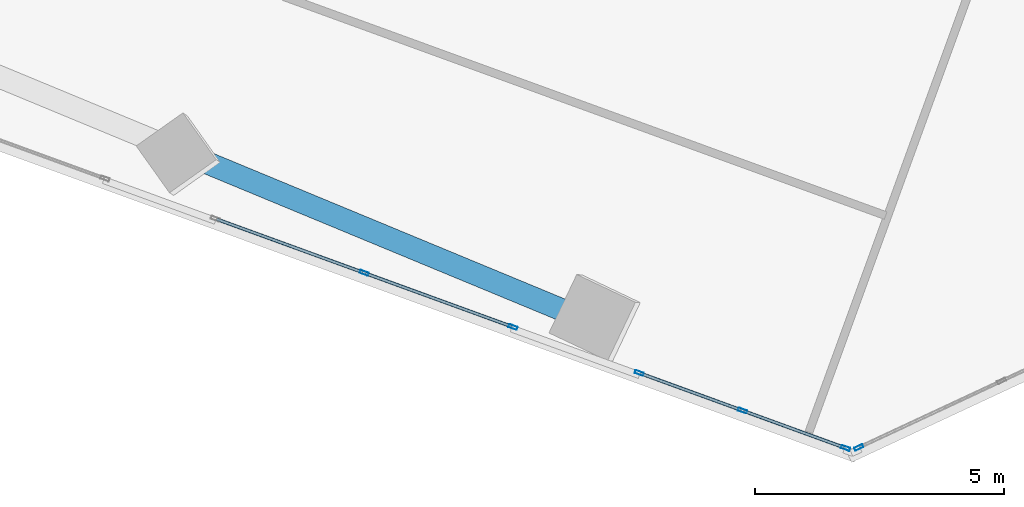
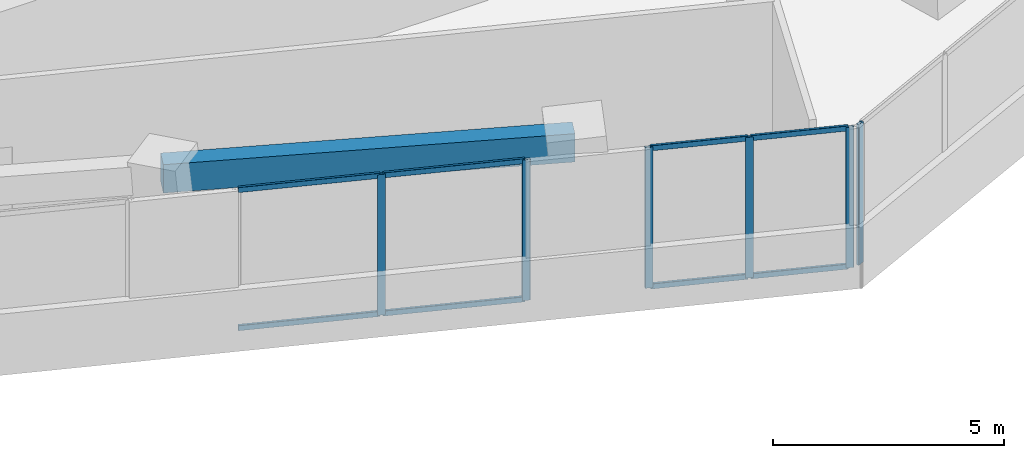
# One storey, part 4 of 21: 14 members, 1 beam, 3 elements without a shape of their own.
"""IFC4 building model written with IfcOpenShell, lengths in metres."""

from ifc_helpers import new_model, si_unit, direction, frame, origin, origin_2d, place, context, subcontext, project, spatial, rectangle, hollow_rectangle, extrude, source, transform, mapped, material, material_profile, profile_set, type_object, element, aggregate, save


model = new_model("IFC4")

# Units and contexts
model_context = context("Model", 3, precision=1e-05, world=origin(), true_north=direction((0.0, 1.0)))
body_context = subcontext(model_context, "Body", "Model", "MODEL_VIEW")
ifc_project = project(units=[si_unit("LENGTHUNIT", "METRE"), si_unit("AREAUNIT", "SQUARE_METRE"), si_unit("VOLUMEUNIT", "CUBIC_METRE"), si_unit("PLANEANGLEUNIT", "RADIAN"), si_unit("MASSUNIT", "GRAM", prefix="KILO")], contexts=[model_context])

# Site, building, storey
site_placement = place(None, origin())
site = spatial("IfcSite", under=ifc_project, at=site_placement, CompositionType="ELEMENT")
building_placement = place(site_placement, origin())
building = spatial("IfcBuilding", under=site, at=building_placement, Name="Torre Montelarca", CompositionType="ELEMENT")
storey_placement = place(building_placement, frame((0.0, 0.0, 137.199951171875)))
storey = spatial("IfcBuildingStorey", under=building, at=storey_placement, Name="L30", CompositionType="ELEMENT", Elevation=137.199951171875)

# Beam
ifc_material_1 = material(Name="Concrete C55/67", Category="concrete")
ifc_material_profile_1 = material_profile(ifc_material_1, rectangle(XDim=0.449951171875, YDim=0.75, at=origin_2d()), Name="RCB450X750", Category="concrete")
ifc_profile_set_1 = profile_set([ifc_material_profile_1], Name="Concrete C55/67")
beam_type = type_object("IfcBeamType", Name="BM-SP-RC750-EXT", PredefinedType="SPANDREL", material=ifc_profile_set_1)
shared_shape_1 = source(origin(), body_context, "Body", "SweptSolid", [
    extrude(rectangle(XDim=0.449951171875, YDim=0.75, at=origin_2d()), origin(), (0.0, 0.0, 1.0), 9.0),
])
beam_placement = place(storey_placement, frame((11.684326171875, 17.44873046875, 3.5849609375), z_axis=(0.923872679915, -0.382699975578, 0.0), x_axis=(0.382699975578, 0.923872679915, 0.0)))
element("IfcBeam", 1, at=beam_placement, inside=storey, type_object=beam_type, Name="L30 Grid Girder X 18.0-27.0 at Y=14.8", PredefinedType="SPANDREL", context=body_context, shape_type="MappedRepresentation", body=[
    mapped(shared_shape_1, transform((0.0, 0.0, 0.0), scale=1.0)),
])

# Curtain wall, members
ifc_material_2 = material(Name="Insulated low-E laminated glass", Category="glass")
curtain_wall_type = type_object("IfcCurtainWallType", Name="CW-SYS-Z2", PredefinedType="USERDEFINED", material=ifc_material_2)
curtain_wall_1_placement = place(storey_placement, origin())
curtain_wall_1 = element("IfcCurtainWall", 2, at=curtain_wall_1_placement, inside=storey, type_object=curtain_wall_type, Name="L30 Curtain Wall Run CW-T3-L30-E01-B2", ObjectType="UNITISED GLAZING", PredefinedType="USERDEFINED")
ifc_material_3 = material(Name="Anodised aluminium AA 6063-T6", Category="aluminium")
ifc_material_profile_2 = material_profile(ifc_material_3, hollow_rectangle(XDim=0.06494140625, YDim=0.179931640625, WallThickness=0.00390625, InnerFilletRadius=0.00390625, OuterFilletRadius=0.008056640625, at=origin_2d()), Name="ALU65X180X4", Category="aluminium")
ifc_profile_set_2 = profile_set([ifc_material_profile_2], Name="Anodised aluminium AA 6063-T6")
member_type_1 = type_object("IfcMemberType", Name="CWM-ALU180", PredefinedType="MULLION", material=ifc_profile_set_2)
shared_shape_2 = source(origin(), body_context, "Body", "SweptSolid", [
    extrude(hollow_rectangle(XDim=0.06494140625, YDim=0.179931640625, WallThickness=0.00390625, InnerFilletRadius=0.00390625, OuterFilletRadius=0.008056640625, at=origin_2d()), origin(), (0.0, 0.0, 1.0), 3.719970703125),
])
member_1_placement = place(storey_placement, frame((15.693359375, 14.8837890625, 0.0), z_axis=(0.0, 0.0, 1.0), x_axis=(0.342025079055, 0.939690824313, 0.0)))
member_1 = element("IfcMember", 3, at=member_1_placement, type_object=member_type_1, Name="CW mullion 2", PredefinedType="MULLION", context=body_context, shape_type="MappedRepresentation", body=[
    mapped(shared_shape_2, transform((0.0, 0.0, 0.0), scale=1.0)),
])
member_2_placement = place(storey_placement, frame((18.685791015625, 13.794677734375, 0.0), z_axis=(0.0, 0.0, 1.0), x_axis=(0.342025079055, 0.939690824313, 0.0)))
member_2 = element("IfcMember", 4, at=member_2_placement, type_object=member_type_1, Name="CW mullion 3", PredefinedType="MULLION", context=body_context, shape_type="MappedRepresentation", body=[
    mapped(shared_shape_2, transform((0.0, 0.0, 0.0), scale=1.0)),
])

curtain_wall_2_placement = place(storey_placement, origin())
curtain_wall_2 = element("IfcCurtainWall", 5, at=curtain_wall_2_placement, inside=storey, type_object=curtain_wall_type, Name="L30 Curtain Wall Run CW-T3-L30-E01-B3", ObjectType="UNITISED GLAZING", PredefinedType="USERDEFINED")
member_3_placement = place(storey_placement, frame((21.2265625, 12.869873046875, 0.0), z_axis=(0.0, 0.0, 1.0), x_axis=(0.342020799306, 0.939692382028, 0.0)))
member_3 = element("IfcMember", 6, at=member_3_placement, type_object=member_type_1, Name="CW mullion 1", PredefinedType="MULLION", context=body_context, shape_type="MappedRepresentation", body=[
    mapped(shared_shape_2, transform((0.0, 0.0, 0.0), scale=1.0)),
])
member_4_placement = place(storey_placement, frame((23.30126953125, 12.11474609375, 0.0), z_axis=(0.0, 0.0, 1.0), x_axis=(0.342020799306, 0.939692382028, 0.0)))
member_4 = element("IfcMember", 7, at=member_4_placement, type_object=member_type_1, Name="CW mullion 2", PredefinedType="MULLION", context=body_context, shape_type="MappedRepresentation", body=[
    mapped(shared_shape_2, transform((0.0, 0.0, 0.0), scale=1.0)),
])
member_5_placement = place(storey_placement, frame((25.3759765625, 11.359619140625, 0.0), z_axis=(0.0, 0.0, 1.0), x_axis=(0.342020799306, 0.939692382028, 0.0)))
member_5 = element("IfcMember", 8, at=member_5_placement, type_object=member_type_1, Name="CW mullion 3", PredefinedType="MULLION", context=body_context, shape_type="MappedRepresentation", body=[
    mapped(shared_shape_2, transform((0.0, 0.0, 0.0), scale=1.0)),
])

# Curtain wall, member
curtain_wall_3_placement = place(storey_placement, origin())
curtain_wall_3 = element("IfcCurtainWall", 9, at=curtain_wall_3_placement, inside=storey, type_object=curtain_wall_type, Name="L30 Curtain Wall Run CW-T3-L30-E02-B1", ObjectType="UNITISED GLAZING", PredefinedType="USERDEFINED")
member_6_placement = place(storey_placement, frame((25.642822265625, 11.371337890625, 0.0), z_axis=(0.0, 0.0, 1.0), x_axis=(-0.42258947224, 0.906321211244, 0.0)))
member_6 = element("IfcMember", 10, at=member_6_placement, type_object=member_type_1, Name="CW mullion 1", PredefinedType="MULLION", context=body_context, shape_type="MappedRepresentation", body=[
    mapped(shared_shape_2, transform((0.0, 0.0, 0.0), scale=1.0)),
])
aggregate(curtain_wall_3, [member_6])

# Member
ifc_material_profile_3 = material_profile(ifc_material_3, hollow_rectangle(XDim=0.06494140625, YDim=0.139892578125, WallThickness=0.00390625, InnerFilletRadius=0.00390625, OuterFilletRadius=0.008056640625, at=origin_2d()), Name="ALU65X140X4", Category="aluminium")
ifc_profile_set_3 = profile_set([ifc_material_profile_3], Name="Anodised aluminium AA 6063-T6")
member_type_2 = type_object("IfcMemberType", Name="CWT-ALU140", PredefinedType="USERDEFINED", material=ifc_profile_set_3)
shared_shape_3 = source(origin(), body_context, "Body", "SweptSolid", [
    extrude(hollow_rectangle(XDim=0.06494140625, YDim=0.139892578125, WallThickness=0.00390625, InnerFilletRadius=0.00390625, OuterFilletRadius=0.008056640625, at=origin_2d()), origin(), (0.0, 0.0, 1.0), 3.11962890625),
])
member_7_placement = place(storey_placement, frame((12.7314453125, 15.9619140625, 0.032470703125), z_axis=(0.93969741494, -0.342006971208, 0.0), x_axis=(0.342006971208, 0.93969741494, 0.0)))
member_7 = element("IfcMember", 11, at=member_7_placement, type_object=member_type_2, Name="CW transom 1.1", ObjectType="TRANSOM", PredefinedType="USERDEFINED", context=body_context, shape_type="MappedRepresentation", body=[
    mapped(shared_shape_3, transform((0.0, 0.0, 0.0), scale=1.0)),
])

member_8_placement = place(storey_placement, frame((12.7314453125, 15.9619140625, 3.6875), z_axis=(0.93969741494, -0.342006971208, 0.0), x_axis=(0.342006971208, 0.93969741494, 0.0)))
member_8 = element("IfcMember", 12, at=member_8_placement, type_object=member_type_2, Name="CW transom 1.2", ObjectType="TRANSOM", PredefinedType="USERDEFINED", context=body_context, shape_type="MappedRepresentation", body=[
    mapped(shared_shape_3, transform((0.0, 0.0, 0.0), scale=1.0)),
])

member_9_placement = place(storey_placement, frame((15.723876953125, 14.872802734375, 0.032470703125), z_axis=(0.939672260842, -0.342076076633, 0.0), x_axis=(0.342076076633, 0.939672260842, 0.0)))
member_9 = element("IfcMember", 13, at=member_9_placement, type_object=member_type_2, Name="CW transom 2.1", ObjectType="TRANSOM", PredefinedType="USERDEFINED", context=body_context, shape_type="MappedRepresentation", body=[
    mapped(shared_shape_3, transform((0.0, 0.0, 0.0), scale=1.0)),
])

member_10_placement = place(storey_placement, frame((15.723876953125, 14.872802734375, 3.6875), z_axis=(0.939672260842, -0.342076076633, 0.0), x_axis=(0.342076076633, 0.939672260842, 0.0)))
member_10 = element("IfcMember", 14, at=member_10_placement, type_object=member_type_2, Name="CW transom 2.2", ObjectType="TRANSOM", PredefinedType="USERDEFINED", context=body_context, shape_type="MappedRepresentation", body=[
    mapped(shared_shape_3, transform((0.0, 0.0, 0.0), scale=1.0)),
])

aggregate(curtain_wall_1, [member_1, member_2, member_7, member_8, member_9, member_10])

shared_shape_4 = source(origin(), body_context, "Body", "SweptSolid", [
    extrude(hollow_rectangle(XDim=0.06494140625, YDim=0.139892578125, WallThickness=0.00390625, InnerFilletRadius=0.00390625, OuterFilletRadius=0.008056640625, at=origin_2d()), origin(), (0.0, 0.0, 1.0), 2.142822265625),
])
member_11_placement = place(storey_placement, frame((21.257080078125, 12.85888671875, 0.032470703125), z_axis=(0.939693590831, -0.342017478137, 0.0), x_axis=(0.342017478137, 0.939693590831, 0.0)))
member_11 = element("IfcMember", 15, at=member_11_placement, type_object=member_type_2, Name="CW transom 1.1", ObjectType="TRANSOM", PredefinedType="USERDEFINED", context=body_context, shape_type="MappedRepresentation", body=[
    mapped(shared_shape_4, transform((0.0, 0.0, 0.0), scale=1.0)),
])

member_12_placement = place(storey_placement, frame((21.257080078125, 12.85888671875, 3.6875), z_axis=(0.939693590831, -0.342017478137, 0.0), x_axis=(0.342017478137, 0.939693590831, 0.0)))
member_12 = element("IfcMember", 16, at=member_12_placement, type_object=member_type_2, Name="CW transom 1.2", ObjectType="TRANSOM", PredefinedType="USERDEFINED", context=body_context, shape_type="MappedRepresentation", body=[
    mapped(shared_shape_4, transform((0.0, 0.0, 0.0), scale=1.0)),
])

member_13_placement = place(storey_placement, frame((23.331787109375, 12.103515625, 0.032470703125), z_axis=(0.93973020298, -0.34191686944, 0.0), x_axis=(0.34191686944, 0.93973020298, 0.0)))
member_13 = element("IfcMember", 17, at=member_13_placement, type_object=member_type_2, Name="CW transom 2.1", ObjectType="TRANSOM", PredefinedType="USERDEFINED", context=body_context, shape_type="MappedRepresentation", body=[
    mapped(shared_shape_4, transform((0.0, 0.0, 0.0), scale=1.0)),
])

member_14_placement = place(storey_placement, frame((23.331787109375, 12.103515625, 3.6875), z_axis=(0.93973020298, -0.34191686944, 0.0), x_axis=(0.34191686944, 0.93973020298, 0.0)))
member_14 = element("IfcMember", 18, at=member_14_placement, type_object=member_type_2, Name="CW transom 2.2", ObjectType="TRANSOM", PredefinedType="USERDEFINED", context=body_context, shape_type="MappedRepresentation", body=[
    mapped(shared_shape_4, transform((0.0, 0.0, 0.0), scale=1.0)),
])

aggregate(curtain_wall_2, [member_3, member_4, member_5, member_11, member_12, member_13, member_14])

save(model, "model.ifc")
